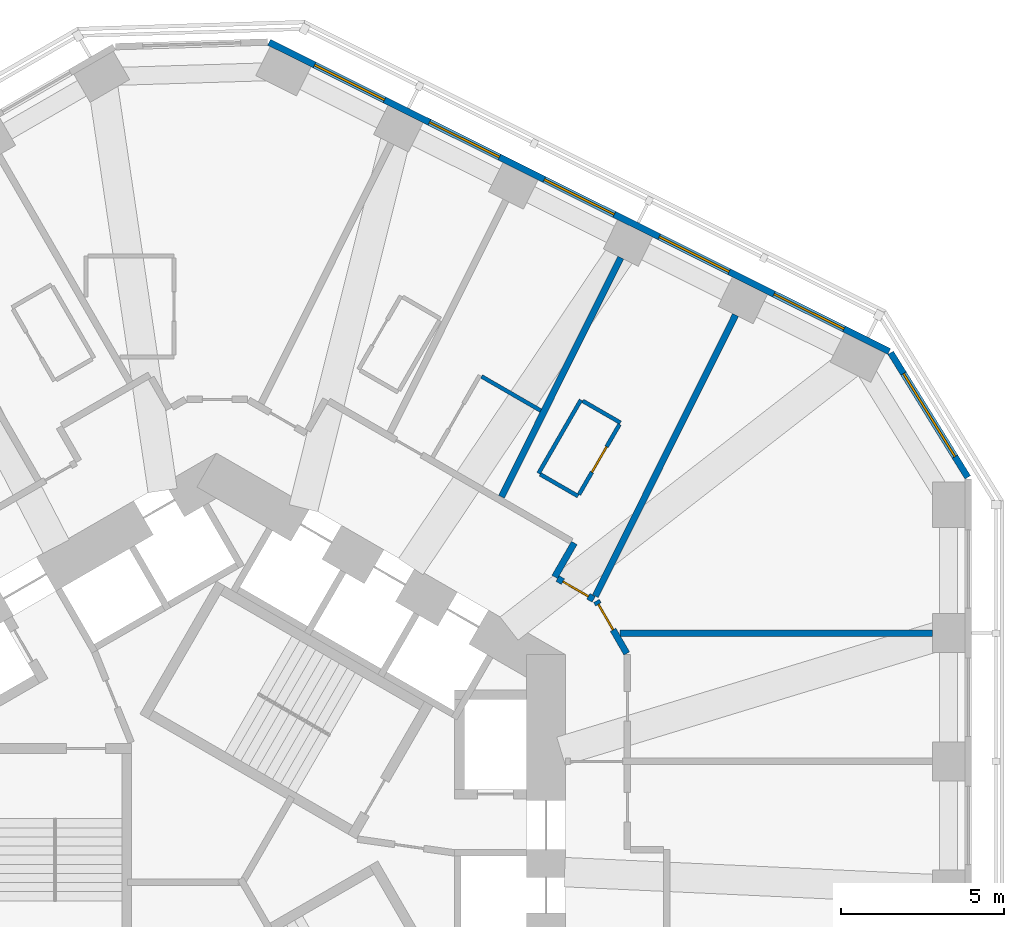
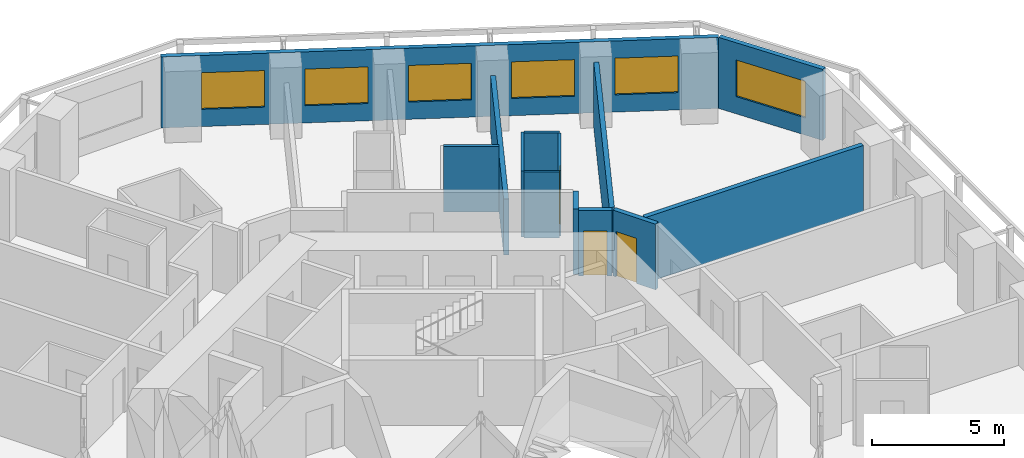
# One storey, part 9 of 12: 13 walls, 6 windows, 3 doors, 9 openings.
"""IFC4 building model written with IfcOpenShell, lengths in metres."""

from ifc_helpers import new_model, si_unit, direction, frame, frame_2d, origin, place, context, subcontext, project, spatial, rectangle, extrude, material, layer, layer_set, type_object, element, fill, save


model = new_model("IFC4")

# Units and contexts
model_context = context("Model", 3, precision=1e-05, world=origin(), true_north=direction((0.0, 1.0)))
body_context = subcontext(model_context, "Body", "Model", "MODEL_VIEW")
ifc_project = project(units=[si_unit("LENGTHUNIT", "METRE"), si_unit("AREAUNIT", "SQUARE_METRE"), si_unit("VOLUMEUNIT", "CUBIC_METRE"), si_unit("PLANEANGLEUNIT", "RADIAN"), si_unit("MASSUNIT", "GRAM", prefix="KILO")], contexts=[model_context])

# Site, building, storey
site_placement = place(None, origin())
site = spatial("IfcSite", under=ifc_project, at=site_placement, CompositionType="ELEMENT")
building_placement = place(site_placement, origin())
building = spatial("IfcBuilding", under=site, at=building_placement, Name="Vanh Sen Convention Tower", CompositionType="ELEMENT")
storey_placement = place(building_placement, frame((0.0, 0.0, 70.39990234375)))
storey = spatial("IfcBuildingStorey", under=building, at=storey_placement, Name="L15", CompositionType="ELEMENT", Elevation=70.39990234375)

# Walls
ifc_material_1 = material(Name="Moisture-resistant gypsum board on steel studs", Category="steel")
ifc_layer_1 = layer(ifc_material_1, 0.1201171875)
ifc_layer_set_1 = layer_set([ifc_layer_1], Name="Moisture-resistant gypsum board on steel studs")
wall_type_1 = type_object("IfcWallType", Name="Bathroom partition 120", PredefinedType="PARTITIONING", material=ifc_layer_set_1)
wall_1_placement = place(storey_placement, frame((8.126708984375, 14.7080078125, 0.0), z_axis=(0.0, 0.0, 1.0), x_axis=(0.866065472234, -0.499930592986, 0.0)))
element("IfcWall", 1, at=wall_1_placement, inside=storey, type_object=wall_type_1, Name="Bathroom partition 120", PredefinedType="PARTITIONING", context=body_context, shape_type="SweptSolid", body=[
    extrude(rectangle(XDim=2.098388671875, YDim=0.1201171875, at=frame_2d((1.04931640625, 0.0))), origin(), (0.0, 0.0, 1.0), 3.050048828125),
])
wall_2_placement = place(storey_placement, frame((9.87451171875, 11.736083984375, 0.0), z_axis=(0.0, 0.0, 1.0), x_axis=(0.499936506574, 0.866062058628, 0.0)))
element("IfcWall", 2, at=wall_2_placement, inside=storey, type_object=wall_type_1, Name="Bathroom partition 120", PredefinedType="PARTITIONING", context=body_context, shape_type="SweptSolid", body=[
    extrude(rectangle(XDim=2.599853515625, YDim=0.1201171875, at=frame_2d((1.2998046875, 0.0))), origin(), (0.0, 0.0, 1.0), 3.050048828125),
])
for number, where, z_axis, x_axis, name in (
    (3, (11.0869140625, 11.0361328125, 0.0), (0.0, 0.0, 1.0), (-0.866036909293, 0.499980071345, 0.0), "Bathroom partition 120"),
    (4, (11.226318359375, 13.957763671875, 0.0), (0.0, 0.0, 1.0), (0.866036909293, -0.499980071345, 0.0), "Bathroom partition 120"),
):
    element("IfcWall", number, at=place(storey_placement, frame(where, z_axis=z_axis, x_axis=x_axis)), inside=storey, type_object=wall_type_1, Name=name, PredefinedType="PARTITIONING", context=body_context, shape_type="SweptSolid", body=[
        extrude(rectangle(XDim=1.33984375, YDim=0.1201171875, at=frame_2d((0.669921875, 0.0))), origin(), (0.0, 0.0, 1.0), 3.050048828125),
    ])

# Wall, opening, door
wall_3_placement = place(storey_placement, frame((12.356689453125, 13.23583984375, 0.0), z_axis=(0.0, 0.0, 1.0), x_axis=(-0.50000366821, -0.866023285932, 0.0)))
wall_3 = element("IfcWall", 5, at=wall_3_placement, inside=storey, type_object=wall_type_1, Name="Bathroom partition 120", PredefinedType="PARTITIONING", context=body_context, shape_type="SweptSolid", body=[
    extrude(rectangle(XDim=2.47998046875, YDim=0.1201171875, at=frame_2d((1.239990234375, 0.0))), origin(), (0.0, 0.0, 1.0), 3.050048828125),
])
opening_1_placement = place(wall_3_placement, frame((0.7900390625, 0.0, 0.0)))
opening_1 = element("IfcOpeningElement", 6, at=opening_1_placement, cuts=wall_3, Name="Opening D13106", PredefinedType="OPENING", context=body_context, shape_type="SweptSolid", body=[
    extrude(rectangle(XDim=0.89990234375, YDim=2.10009765625, at=frame_2d((0.449951171875, 1.050048828125))), frame((0.0, 0.070068359375, 0.0), z_axis=(0.0, -1.0, 0.0), x_axis=(1.0, 0.0, 0.0)), (0.0, 0.0, 1.0), 0.14013671875),
])
ifc_material_2 = material(Name="Laminate door in steel frame", Category="steel")
door_type_1 = type_object("IfcDoorType", Name="En-suite door 900", OperationType="SINGLE_SWING_LEFT", PredefinedType="DOOR", material=ifc_material_2)
door_1_placement = place(opening_1_placement, origin())
door_1 = element("IfcDoor", 7, at=door_1_placement, inside=storey, type_object=door_type_1, Name="En-suite door D13106", OperationType="SINGLE_SWING_LEFT", OverallHeight=2.10009765625, OverallWidth=0.89990234375, PredefinedType="DOOR", context=body_context, shape_type="SweptSolid", body=[
    extrude(rectangle(XDim=0.89990234375, YDim=2.10009765625, at=frame_2d((0.449951171875, 1.050048828125))), frame((0.0, 0.02490234375, 0.0), z_axis=(0.0, -1.0, 0.0), x_axis=(1.0, 0.0, 0.0)), (0.0, 0.0, 1.0), 0.050048828125),
])
fill(opening_1, door_1)

# Wall
ifc_material_3 = material(Name="Gypsum board on steel studs with mineral wool", Category="steel")
ifc_layer_2 = layer(ifc_material_3, 0.199951171875)
ifc_layer_set_2 = layer_set([ifc_layer_2], Name="Gypsum board on steel studs with mineral wool")
wall_type_2 = type_object("IfcWallType", Name="Corridor partition wall 200", PredefinedType="PARTITIONING", material=ifc_layer_set_2)
wall_4_placement = place(storey_placement, frame((10.37109375, 8.561279296875, 0.0), z_axis=(0.0, 0.0, 1.0), x_axis=(0.499986357472, 0.866033280158, 0.0)))
element("IfcWall", 8, at=wall_4_placement, inside=storey, type_object=wall_type_2, Name="Corridor partition wall 200", PredefinedType="PARTITIONING", context=body_context, shape_type="SweptSolid", body=[
    extrude(rectangle(XDim=1.201171875, YDim=0.199951171875, at=frame_2d((0.6005859375, 0.0))), origin(), (0.0, 0.0, 1.0), 3.050048828125),
])

# Wall, opening, door
wall_5_placement = place(storey_placement, frame((11.56640625, 7.871337890625, 0.0), z_axis=(0.0, 0.0, 1.0), x_axis=(-0.866004557827, 0.500036104519, 0.0)))
wall_5 = element("IfcWall", 9, at=wall_5_placement, inside=storey, type_object=wall_type_2, Name="Corridor partition wall 200", PredefinedType="PARTITIONING", context=body_context, shape_type="SweptSolid", body=[
    extrude(rectangle(XDim=1.2802734375, YDim=0.199951171875, at=frame_2d((0.64013671875, 0.0))), origin(), (0.0, 0.0, 1.0), 3.050048828125),
])
opening_2_placement = place(wall_5_placement, frame((0.190185546875, 0.0, 0.0)))
opening_2 = element("IfcOpeningElement", 10, at=opening_2_placement, cuts=wall_5, Name="Opening D13105", PredefinedType="OPENING", context=body_context, shape_type="SweptSolid", body=[
    extrude(rectangle(XDim=0.89990234375, YDim=2.10009765625, at=frame_2d((0.449951171875, 1.050048828125))), frame((0.0, 0.10986328125, 0.0), z_axis=(0.0, -1.0, 0.0), x_axis=(1.0, 0.0, 0.0)), (0.0, 0.0, 1.0), 0.219970703125),
])
ifc_material_4 = material(Name="Timber fire door in steel frame", Category="steel")
door_type_2 = type_object("IfcDoorType", Name="Guest room door 900", OperationType="SINGLE_SWING_LEFT", PredefinedType="DOOR", material=ifc_material_4)
door_2_placement = place(opening_2_placement, origin())
door_2 = element("IfcDoor", 11, at=door_2_placement, inside=storey, type_object=door_type_2, Name="Hotel guest room door D13105", OperationType="SINGLE_SWING_LEFT", OverallHeight=2.10009765625, OverallWidth=0.89990234375, PredefinedType="DOOR", context=body_context, shape_type="SweptSolid", body=[
    extrude(rectangle(XDim=0.89990234375, YDim=2.10009765625, at=frame_2d((0.449951171875, 1.050048828125))), frame((0.0, 0.02490234375, 0.0), z_axis=(0.0, -1.0, 0.0), x_axis=(1.0, 0.0, 0.0)), (0.0, 0.0, 1.0), 0.050048828125),
])
fill(opening_2, door_2)

wall_6_placement = place(storey_placement, frame((12.580078125, 6.212158203125, 0.0), z_axis=(0.0, 0.0, 1.0), x_axis=(-0.500063286585, 0.865988862174, 0.0)))
wall_6 = element("IfcWall", 12, at=wall_6_placement, inside=storey, type_object=wall_type_2, Name="Corridor partition wall 200", PredefinedType="PARTITIONING", context=body_context, shape_type="SweptSolid", body=[
    extrude(rectangle(XDim=1.860107421875, YDim=0.199951171875, at=frame_2d((0.93017578125, 0.0))), origin(), (0.0, 0.0, 1.0), 3.050048828125),
])
opening_3_placement = place(wall_6_placement, frame((0.841796875, 0.0, 0.0)))
opening_3 = element("IfcOpeningElement", 13, at=opening_3_placement, cuts=wall_6, Name="Opening D13104", PredefinedType="OPENING", context=body_context, shape_type="SweptSolid", body=[
    extrude(rectangle(XDim=0.89990234375, YDim=2.10009765625, at=frame_2d((0.449951171875, 1.050048828125))), frame((0.0, 0.10986328125, 0.0), z_axis=(0.0, -1.0, 0.0), x_axis=(1.0, 0.0, 0.0)), (0.0, 0.0, 1.0), 0.219970703125),
])
door_type_3 = type_object("IfcDoorType", Name="Floor room door 900", OperationType="SINGLE_SWING_LEFT", PredefinedType="DOOR", material=ifc_material_4)
door_3_placement = place(opening_3_placement, origin())
door_3 = element("IfcDoor", 14, at=door_3_placement, inside=storey, type_object=door_type_3, Name="Meeting and amenity room door D13104", OperationType="SINGLE_SWING_LEFT", OverallHeight=2.10009765625, OverallWidth=0.89990234375, PredefinedType="DOOR", context=body_context, shape_type="SweptSolid", body=[
    extrude(rectangle(XDim=0.89990234375, YDim=2.10009765625, at=frame_2d((0.449951171875, 1.050048828125))), frame((0.0, 0.02490234375, 0.0), z_axis=(0.0, -1.0, 0.0), x_axis=(1.0, 0.0, 0.0)), (0.0, 0.0, 1.0), 0.050048828125),
])
fill(opening_3, door_3)

# Wall, opening, window
ifc_material_5 = material(Name="Insulated lightweight infill wall")
ifc_layer_3 = layer(ifc_material_5, 0.199951171875)
ifc_layer_set_3 = layer_set([ifc_layer_3], Name="Insulated lightweight infill wall")
wall_type_3 = type_object("IfcWallType", Name="External wall 200", PredefinedType="STANDARD", material=ifc_layer_set_3)
wall_7_placement = place(storey_placement, frame((23.034912109375, 11.612060546875, 0.0), z_axis=(0.0, 0.0, 1.0), x_axis=(-0.526160091227, 0.850385535155, 0.0)))
wall_7 = element("IfcWall", 15, at=wall_7_placement, inside=storey, type_object=wall_type_3, Name="External wall CH1 L15", PredefinedType="STANDARD", context=body_context, shape_type="SweptSolid", body=[
    extrude(rectangle(XDim=4.493896484375, YDim=0.199951171875, at=frame_2d((2.2470703125, 0.0))), origin(), (0.0, 0.0, 1.0), 3.300048828125),
])
opening_4_placement = place(wall_7_placement, frame((0.746826171875, 0.0, 0.800048828125)))
opening_4 = element("IfcOpeningElement", 16, at=opening_4_placement, cuts=wall_7, Name="Opening WH2-CH11", PredefinedType="OPENING", context=body_context, shape_type="SweptSolid", body=[
    extrude(rectangle(XDim=3.0, YDim=1.699951171875, at=frame_2d((1.5, 0.85009765625))), frame((0.0, 0.10986328125, 0.0), z_axis=(0.0, -1.0, 0.0), x_axis=(1.0, 0.0, 0.0)), (0.0, 0.0, 1.0), 0.219970703125),
])
ifc_material_6 = material(Name="Aluminium frame with clear low-emissivity glass", Category="aluminium")
window_type_1 = type_object("IfcWindowType", Name="Hotel window 3000 x 1700", PartitioningType="SINGLE_PANEL", PredefinedType="WINDOW", material=ifc_material_6)
window_1_placement = place(opening_4_placement, origin())
window_1 = element("IfcWindow", 17, at=window_1_placement, inside=storey, type_object=window_type_1, Name="Window WH2-CH11", OverallHeight=1.699951171875, OverallWidth=3.0, PartitioningType="SINGLE_PANEL", PredefinedType="WINDOW", context=body_context, shape_type="SweptSolid", body=[
    extrude(rectangle(XDim=3.0, YDim=1.699951171875, at=frame_2d((1.5, 0.85009765625))), frame((0.0, 0.030029296875, 0.0), z_axis=(0.0, -1.0, 0.0), x_axis=(1.0, 0.0, 0.0)), (0.0, 0.0, 1.0), 0.06005859375),
])
fill(opening_4, window_1)

# Wall, openings, windows
wall_8_placement = place(storey_placement, frame((20.6298828125, 15.470458984375, 0.0), z_axis=(0.0, 0.0, 1.0), x_axis=(-0.894934518609, 0.446197498203, 0.0)))
wall_8 = element("IfcWall", 18, at=wall_8_placement, inside=storey, type_object=wall_type_3, Name="External wall NE L15", PredefinedType="STANDARD", context=body_context, shape_type="SweptSolid", body=[
    extrude(rectangle(XDim=21.24609375, YDim=0.199951171875, at=frame_2d((10.623046875, 0.0))), origin(), (0.0, 0.0, 1.0), 3.300048828125),
])
opening_5_placement = place(wall_8_placement, frame((1.552978515625, 0.0, 0.800048828125)))
opening_5 = element("IfcOpeningElement", 19, at=opening_5_placement, cuts=wall_8, Name="Opening WH1-NE1", PredefinedType="OPENING", context=body_context, shape_type="SweptSolid", body=[
    extrude(rectangle(XDim=2.39990234375, YDim=1.699951171875, at=frame_2d((1.199951171875, 0.85009765625))), frame((0.0, 0.10986328125, 0.0), z_axis=(0.0, -1.0, 0.0), x_axis=(1.0, 0.0, 0.0)), (0.0, 0.0, 1.0), 0.219970703125),
])
opening_6_placement = place(wall_8_placement, frame((5.48779296875, 0.0, 0.800048828125)))
opening_6 = element("IfcOpeningElement", 20, at=opening_6_placement, cuts=wall_8, Name="Opening WH1-NE2", PredefinedType="OPENING", context=body_context, shape_type="SweptSolid", body=[
    extrude(rectangle(XDim=2.39990234375, YDim=1.699951171875, at=frame_2d((1.199951171875, 0.85009765625))), frame((0.0, 0.10986328125, 0.0), z_axis=(0.0, -1.0, 0.0), x_axis=(1.0, 0.0, 0.0)), (0.0, 0.0, 1.0), 0.219970703125),
])
opening_7_placement = place(wall_8_placement, frame((9.42236328125, 0.0, 0.800048828125)))
opening_7 = element("IfcOpeningElement", 21, at=opening_7_placement, cuts=wall_8, Name="Opening WH1-NE3", PredefinedType="OPENING", context=body_context, shape_type="SweptSolid", body=[
    extrude(rectangle(XDim=2.39990234375, YDim=1.699951171875, at=frame_2d((1.199951171875, 0.85009765625))), frame((0.0, 0.10986328125, 0.0), z_axis=(0.0, -1.0, 0.0), x_axis=(1.0, 0.0, 0.0)), (0.0, 0.0, 1.0), 0.219970703125),
])
opening_8_placement = place(wall_8_placement, frame((13.35693359375, 0.0, 0.800048828125)))
opening_8 = element("IfcOpeningElement", 22, at=opening_8_placement, cuts=wall_8, Name="Opening WH1-NE4", PredefinedType="OPENING", context=body_context, shape_type="SweptSolid", body=[
    extrude(rectangle(XDim=2.39990234375, YDim=1.699951171875, at=frame_2d((1.199951171875, 0.85009765625))), frame((0.0, 0.10986328125, 0.0), z_axis=(0.0, -1.0, 0.0), x_axis=(1.0, 0.0, 0.0)), (0.0, 0.0, 1.0), 0.219970703125),
])
opening_9_placement = place(wall_8_placement, frame((17.29150390625, 0.0, 0.800048828125)))
opening_9 = element("IfcOpeningElement", 23, at=opening_9_placement, cuts=wall_8, Name="Opening WH1-NE5", PredefinedType="OPENING", context=body_context, shape_type="SweptSolid", body=[
    extrude(rectangle(XDim=2.39990234375, YDim=1.699951171875, at=frame_2d((1.199951171875, 0.85009765625))), frame((0.0, 0.10986328125, 0.0), z_axis=(0.0, -1.0, 0.0), x_axis=(1.0, 0.0, 0.0)), (0.0, 0.0, 1.0), 0.219970703125),
])
window_type_2 = type_object("IfcWindowType", Name="Hotel window 2400 x 1700", PartitioningType="SINGLE_PANEL", PredefinedType="WINDOW", material=ifc_material_6)
window_2_placement = place(opening_5_placement, origin())
window_2 = element("IfcWindow", 24, at=window_2_placement, inside=storey, type_object=window_type_2, Name="Window WH1-NE1", OverallHeight=1.699951171875, OverallWidth=2.39990234375, PartitioningType="SINGLE_PANEL", PredefinedType="WINDOW", context=body_context, shape_type="SweptSolid", body=[
    extrude(rectangle(XDim=2.39990234375, YDim=1.699951171875, at=frame_2d((1.199951171875, 0.85009765625))), frame((0.0, 0.030029296875, 0.0), z_axis=(0.0, -1.0, 0.0), x_axis=(1.0, 0.0, 0.0)), (0.0, 0.0, 1.0), 0.06005859375),
])
fill(opening_5, window_2)
window_3_placement = place(opening_6_placement, origin())
window_3 = element("IfcWindow", 25, at=window_3_placement, inside=storey, type_object=window_type_2, Name="Window WH1-NE2", OverallHeight=1.699951171875, OverallWidth=2.39990234375, PartitioningType="SINGLE_PANEL", PredefinedType="WINDOW", context=body_context, shape_type="SweptSolid", body=[
    extrude(rectangle(XDim=2.39990234375, YDim=1.699951171875, at=frame_2d((1.199951171875, 0.85009765625))), frame((0.0, 0.030029296875, 0.0), z_axis=(0.0, -1.0, 0.0), x_axis=(1.0, 0.0, 0.0)), (0.0, 0.0, 1.0), 0.06005859375),
])
fill(opening_6, window_3)
window_4_placement = place(opening_7_placement, origin())
window_4 = element("IfcWindow", 26, at=window_4_placement, inside=storey, type_object=window_type_2, Name="Window WH1-NE3", OverallHeight=1.699951171875, OverallWidth=2.39990234375, PartitioningType="SINGLE_PANEL", PredefinedType="WINDOW", context=body_context, shape_type="SweptSolid", body=[
    extrude(rectangle(XDim=2.39990234375, YDim=1.699951171875, at=frame_2d((1.199951171875, 0.85009765625))), frame((0.0, 0.030029296875, 0.0), z_axis=(0.0, -1.0, 0.0), x_axis=(1.0, 0.0, 0.0)), (0.0, 0.0, 1.0), 0.06005859375),
])
fill(opening_7, window_4)
window_5_placement = place(opening_8_placement, origin())
window_5 = element("IfcWindow", 27, at=window_5_placement, inside=storey, type_object=window_type_2, Name="Window WH1-NE4", OverallHeight=1.699951171875, OverallWidth=2.39990234375, PartitioningType="SINGLE_PANEL", PredefinedType="WINDOW", context=body_context, shape_type="SweptSolid", body=[
    extrude(rectangle(XDim=2.39990234375, YDim=1.699951171875, at=frame_2d((1.199951171875, 0.85009765625))), frame((0.0, 0.030029296875, 0.0), z_axis=(0.0, -1.0, 0.0), x_axis=(1.0, 0.0, 0.0)), (0.0, 0.0, 1.0), 0.06005859375),
])
fill(opening_8, window_5)
window_6_placement = place(opening_9_placement, origin())
window_6 = element("IfcWindow", 28, at=window_6_placement, inside=storey, type_object=window_type_2, Name="Window WH1-NE5", OverallHeight=1.699951171875, OverallWidth=2.39990234375, PartitioningType="SINGLE_PANEL", PredefinedType="WINDOW", context=body_context, shape_type="SweptSolid", body=[
    extrude(rectangle(XDim=2.39990234375, YDim=1.699951171875, at=frame_2d((1.199951171875, 0.85009765625))), frame((0.0, 0.030029296875, 0.0), z_axis=(0.0, -1.0, 0.0), x_axis=(1.0, 0.0, 0.0)), (0.0, 0.0, 1.0), 0.06005859375),
])
fill(opening_9, window_6)

# Walls
ifc_layer_4 = layer(ifc_material_3, 0.199951171875)
ifc_layer_set_4 = layer_set([ifc_layer_4], Name="Gypsum board on steel studs with mineral wool")
wall_type_4 = type_object("IfcWallType", Name="Hotel party wall 200", PredefinedType="PARTITIONING", material=ifc_layer_set_4)
wall_9_placement = place(storey_placement, frame((12.393310546875, 18.347900390625, 0.0), z_axis=(0.0, 0.0, 1.0), x_axis=(-0.446176022699, -0.894945225569, 0.0)))
element("IfcWall", 29, at=wall_9_placement, inside=storey, type_object=wall_type_4, Name="Hotel party wall 200", PredefinedType="PARTITIONING", context=body_context, shape_type="SweptSolid", body=[
    extrude(rectangle(XDim=8.19091796875, YDim=0.199951171875, at=frame_2d((4.095458984375, 0.0))), origin(), (0.0, 0.0, 1.0), 2.60009765625),
])
wall_10_placement = place(storey_placement, frame((15.91455078125, 16.59228515625, 0.0), z_axis=(0.0, 0.0, 1.0), x_axis=(-0.446199736347, -0.894933402709, 0.0)))
element("IfcWall", 30, at=wall_10_placement, inside=storey, type_object=wall_type_4, Name="Hotel party wall 200", PredefinedType="PARTITIONING", context=body_context, shape_type="SweptSolid", body=[
    extrude(rectangle(XDim=9.634765625, YDim=0.199951171875, at=frame_2d((4.8173828125, 0.0))), origin(), (0.0, 0.0, 1.0), 3.050048828125),
])
wall_11_placement = place(storey_placement, frame((21.949951171875, 6.839111328125, 0.0), z_axis=(0.0, 0.0, 1.0), x_axis=(-1.0, 0.0, 0.0)))
element("IfcWall", 31, at=wall_11_placement, inside=storey, type_object=wall_type_4, Name="Hotel party wall 200", PredefinedType="PARTITIONING", context=body_context, shape_type="SweptSolid", body=[
    extrude(rectangle(XDim=9.57177734375, YDim=0.199951171875, at=frame_2d((4.785888671875, 0.0))), origin(), (0.0, 0.0, 1.0), 3.050048828125),
])

save(model, "model.ifc")
